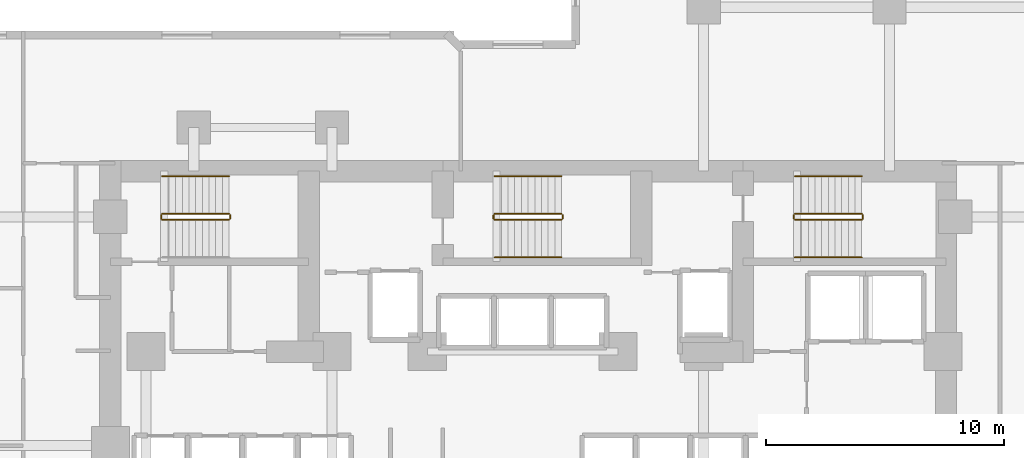
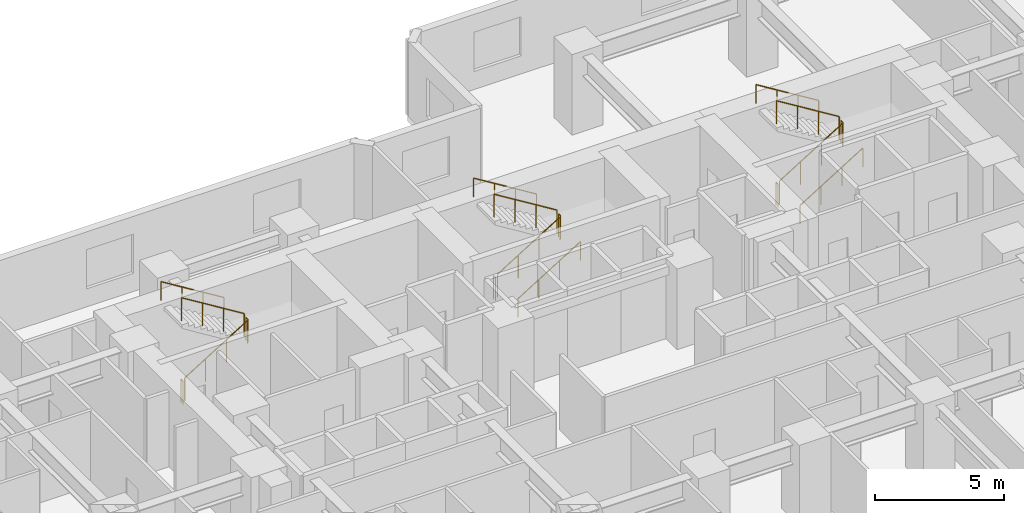
# One storey, part 12 of 12: 17 railings.
"""IFC4 building model written with IfcOpenShell, lengths in metres."""

from ifc_helpers import new_model, si_unit, direction, frame, origin, origin_2d, place, context, subcontext, project, spatial, circle, extrude, material, type_object, element, save


model = new_model("IFC4")

# Units and contexts
model_context = context("Model", 3, precision=1e-05, world=origin(), true_north=direction((0.0, 1.0)))
body_context = subcontext(model_context, "Body", "Model", "MODEL_VIEW")
ifc_project = project(units=[si_unit("LENGTHUNIT", "METRE"), si_unit("AREAUNIT", "SQUARE_METRE"), si_unit("VOLUMEUNIT", "CUBIC_METRE"), si_unit("PLANEANGLEUNIT", "RADIAN"), si_unit("MASSUNIT", "GRAM", prefix="KILO")], contexts=[model_context])

# Site, building, storey
site_placement = place(None, origin())
site = spatial("IfcSite", under=ifc_project, at=site_placement, CompositionType="ELEMENT")
building_placement = place(site_placement, origin())
building = spatial("IfcBuilding", under=site, at=building_placement, Name="Kestravale Grand Hotel", CompositionType="ELEMENT")
storey_placement = place(building_placement, frame((0.0, 0.0, 52.60009765625)))
storey = spatial("IfcBuildingStorey", under=building, at=storey_placement, Name="L12", CompositionType="ELEMENT", Elevation=52.60009765625)

# Railings
ifc_material_1 = material(Name="Painted tubular steel stair well guard", Category="steel")
railing_type_1 = type_object("IfcRailingType", Name="RL-ST-GRD1100", PredefinedType="GUARDRAIL", material=ifc_material_1)
railing_1_placement = place(storey_placement, frame((24.080078125, 38.280029296875, 0.172607421875)))
element("IfcRailing", 1, at=railing_1_placement, inside=storey, type_object=railing_type_1, Name="L12 ST-1 stair guard 1", PredefinedType="GUARDRAIL", context=body_context, shape_type="SweptSolid", body=[
    extrude(circle(Radius=0.02392578125, at=origin_2d()), frame((0.0, 0.0, 1.076171875), z_axis=(0.851069175582, 0.0, 0.525053576669), x_axis=(0.0, 1.0, 0.0)), (0.0, 0.0, 1.0), 3.289794921875),
    extrude(circle(Radius=0.02099609375, at=origin_2d()), origin(), (0.0, 0.0, 1.0), 1.052001953125),
    extrude(circle(Radius=0.02099609375, at=origin_2d()), frame((0.933349609375, 0.0, 0.57568359375)), (0.0, 0.0, 1.0), 1.052001953125),
    extrude(circle(Radius=0.02099609375, at=origin_2d()), frame((1.866455078125, 0.0, 1.151611328125)), (0.0, 0.0, 1.0), 1.052001953125),
    extrude(circle(Radius=0.02099609375, at=origin_2d()), frame((2.7998046875, 0.0, 1.727294921875)), (0.0, 0.0, 1.0), 1.052001953125),
])
railing_2_placement = place(storey_placement, frame((26.929931640625, 38.330078125, 1.89990234375)))
element("IfcRailing", 2, at=railing_2_placement, inside=storey, type_object=railing_type_1, Name="L12 ST-1 stair guard 2", PredefinedType="GUARDRAIL", context=body_context, shape_type="SweptSolid", body=[
    extrude(circle(Radius=0.02392578125, at=origin_2d()), frame((0.0, 0.0, 1.076171875), z_axis=(0.0, 1.0, 0.0), x_axis=(-1.0, 0.0, 0.0)), (0.0, 0.0, 1.0), 0.14990234375),
    extrude(circle(Radius=0.02099609375, at=origin_2d()), origin(), (0.0, 0.0, 1.0), 1.052001953125),
    extrude(circle(Radius=0.02099609375, at=origin_2d()), frame((0.0, 0.14990234375, 0.0)), (0.0, 0.0, 1.0), 1.052001953125),
])
railing_3_placement = place(storey_placement, frame((26.8798828125, 38.530029296875, 2.072509765625)))
element("IfcRailing", 3, at=railing_3_placement, inside=storey, type_object=railing_type_1, Name="L12 ST-1 stair guard 3", PredefinedType="GUARDRAIL", context=body_context, shape_type="SweptSolid", body=[
    extrude(circle(Radius=0.02392578125, at=origin_2d()), frame((0.0, 0.0, 1.076171875), z_axis=(-0.851069175582, 0.0, 0.525053576669), x_axis=(0.0, -1.0, 0.0)), (0.0, 0.0, 1.0), 3.289794921875),
    extrude(circle(Radius=0.02099609375, at=origin_2d()), origin(), (0.0, 0.0, 1.0), 1.052001953125),
    extrude(circle(Radius=0.02099609375, at=origin_2d()), frame((-0.933349609375, 0.0, 0.57568359375)), (0.0, 0.0, 1.0), 1.052001953125),
    extrude(circle(Radius=0.02099609375, at=origin_2d()), frame((-1.866455078125, 0.0, 1.151611328125)), (0.0, 0.0, 1.0), 1.052001953125),
    extrude(circle(Radius=0.02099609375, at=origin_2d()), frame((-2.7998046875, 0.0, 1.727294921875)), (0.0, 0.0, 1.0), 1.052001953125),
])
railing_4_placement = place(storey_placement, frame((24.030029296875, 38.330078125, 0.0)))
element("IfcRailing", 4, at=railing_4_placement, inside=storey, type_object=railing_type_1, Name="L12 ST-1 stair guard 4", PredefinedType="GUARDRAIL", context=body_context, shape_type="SweptSolid", body=[
    extrude(circle(Radius=0.02392578125, at=origin_2d()), frame((0.0, 0.0, 1.076171875), z_axis=(0.0, 1.0, 0.0), x_axis=(-1.0, 0.0, 0.0)), (0.0, 0.0, 1.0), 0.14990234375),
    extrude(circle(Radius=0.02099609375, at=origin_2d()), origin(), (0.0, 0.0, 1.0), 1.052001953125),
    extrude(circle(Radius=0.02099609375, at=origin_2d()), frame((0.0, 0.14990234375, 0.0)), (0.0, 0.0, 1.0), 1.052001953125),
])
railing_5_placement = place(storey_placement, frame((38.030029296875, 38.280029296875, 0.172607421875)))
element("IfcRailing", 5, at=railing_5_placement, inside=storey, type_object=railing_type_1, Name="L12 ST-2 stair guard 1", PredefinedType="GUARDRAIL", context=body_context, shape_type="SweptSolid", body=[
    extrude(circle(Radius=0.02392578125, at=origin_2d()), frame((0.0, 0.0, 1.076171875), z_axis=(0.851089632645, 0.0, 0.525020415988), x_axis=(0.0, 1.0, 0.0)), (0.0, 0.0, 1.0), 3.2900390625),
    extrude(circle(Radius=0.02099609375, at=origin_2d()), origin(), (0.0, 0.0, 1.0), 1.052001953125),
    extrude(circle(Radius=0.02099609375, at=origin_2d()), frame((0.933349609375, 0.0, 0.57568359375)), (0.0, 0.0, 1.0), 1.052001953125),
    extrude(circle(Radius=0.02099609375, at=origin_2d()), frame((1.86669921875, 0.0, 1.151611328125)), (0.0, 0.0, 1.0), 1.052001953125),
    extrude(circle(Radius=0.02099609375, at=origin_2d()), frame((2.800048828125, 0.0, 1.727294921875)), (0.0, 0.0, 1.0), 1.052001953125),
])
railing_6_placement = place(storey_placement, frame((40.8798828125, 38.330078125, 1.89990234375)))
element("IfcRailing", 6, at=railing_6_placement, inside=storey, type_object=railing_type_1, Name="L12 ST-2 stair guard 2", PredefinedType="GUARDRAIL", context=body_context, shape_type="SweptSolid", body=[
    extrude(circle(Radius=0.02392578125, at=origin_2d()), frame((0.0, 0.0, 1.076171875), z_axis=(0.0, 1.0, 0.0), x_axis=(-1.0, 0.0, 0.0)), (0.0, 0.0, 1.0), 0.14990234375),
    extrude(circle(Radius=0.02099609375, at=origin_2d()), origin(), (0.0, 0.0, 1.0), 1.052001953125),
    extrude(circle(Radius=0.02099609375, at=origin_2d()), frame((0.0, 0.14990234375, 0.0)), (0.0, 0.0, 1.0), 1.052001953125),
])
railing_7_placement = place(storey_placement, frame((40.830078125, 38.530029296875, 2.072509765625)))
element("IfcRailing", 7, at=railing_7_placement, inside=storey, type_object=railing_type_1, Name="L12 ST-2 stair guard 3", PredefinedType="GUARDRAIL", context=body_context, shape_type="SweptSolid", body=[
    extrude(circle(Radius=0.02392578125, at=origin_2d()), frame((0.0, 0.0, 1.076171875), z_axis=(-0.851089632645, 0.0, 0.525020415988), x_axis=(0.0, -1.0, 0.0)), (0.0, 0.0, 1.0), 3.2900390625),
    extrude(circle(Radius=0.02099609375, at=origin_2d()), origin(), (0.0, 0.0, 1.0), 1.052001953125),
    extrude(circle(Radius=0.02099609375, at=origin_2d()), frame((-0.933349609375, 0.0, 0.57568359375)), (0.0, 0.0, 1.0), 1.052001953125),
    extrude(circle(Radius=0.02099609375, at=origin_2d()), frame((-1.86669921875, 0.0, 1.151611328125)), (0.0, 0.0, 1.0), 1.052001953125),
    extrude(circle(Radius=0.02099609375, at=origin_2d()), frame((-2.800048828125, 0.0, 1.727294921875)), (0.0, 0.0, 1.0), 1.052001953125),
])
railing_8_placement = place(storey_placement, frame((37.97998046875, 38.330078125, 0.0)))
element("IfcRailing", 8, at=railing_8_placement, inside=storey, type_object=railing_type_1, Name="L12 ST-2 stair guard 4", PredefinedType="GUARDRAIL", context=body_context, shape_type="SweptSolid", body=[
    extrude(circle(Radius=0.02392578125, at=origin_2d()), frame((0.0, 0.0, 1.076171875), z_axis=(0.0, 1.0, 0.0), x_axis=(-1.0, 0.0, 0.0)), (0.0, 0.0, 1.0), 0.14990234375),
    extrude(circle(Radius=0.02099609375, at=origin_2d()), origin(), (0.0, 0.0, 1.0), 1.052001953125),
    extrude(circle(Radius=0.02099609375, at=origin_2d()), frame((0.0, 0.14990234375, 0.0)), (0.0, 0.0, 1.0), 1.052001953125),
])
railing_9_placement = place(storey_placement, frame((50.6298828125, 38.280029296875, 0.172607421875)))
element("IfcRailing", 9, at=railing_9_placement, inside=storey, type_object=railing_type_1, Name="L12 ST-3 stair guard 1", PredefinedType="GUARDRAIL", context=body_context, shape_type="SweptSolid", body=[
    extrude(circle(Radius=0.02392578125, at=origin_2d()), frame((0.0, 0.0, 1.076171875), z_axis=(0.851089632645, 0.0, 0.525020415988), x_axis=(0.0, 1.0, 0.0)), (0.0, 0.0, 1.0), 3.2900390625),
    extrude(circle(Radius=0.02099609375, at=origin_2d()), origin(), (0.0, 0.0, 1.0), 1.052001953125),
    extrude(circle(Radius=0.02099609375, at=origin_2d()), frame((0.933349609375, 0.0, 0.57568359375)), (0.0, 0.0, 1.0), 1.052001953125),
    extrude(circle(Radius=0.02099609375, at=origin_2d()), frame((1.86669921875, 0.0, 1.151611328125)), (0.0, 0.0, 1.0), 1.052001953125),
    extrude(circle(Radius=0.02099609375, at=origin_2d()), frame((2.800048828125, 0.0, 1.727294921875)), (0.0, 0.0, 1.0), 1.052001953125),
])
railing_10_placement = place(storey_placement, frame((53.47998046875, 38.330078125, 1.89990234375)))
element("IfcRailing", 10, at=railing_10_placement, inside=storey, type_object=railing_type_1, Name="L12 ST-3 stair guard 2", PredefinedType="GUARDRAIL", context=body_context, shape_type="SweptSolid", body=[
    extrude(circle(Radius=0.02392578125, at=origin_2d()), frame((0.0, 0.0, 1.076171875), z_axis=(0.0, 1.0, 0.0), x_axis=(-1.0, 0.0, 0.0)), (0.0, 0.0, 1.0), 0.14990234375),
    extrude(circle(Radius=0.02099609375, at=origin_2d()), origin(), (0.0, 0.0, 1.0), 1.052001953125),
    extrude(circle(Radius=0.02099609375, at=origin_2d()), frame((0.0, 0.14990234375, 0.0)), (0.0, 0.0, 1.0), 1.052001953125),
])
railing_11_placement = place(storey_placement, frame((53.429931640625, 38.530029296875, 2.072509765625)))
element("IfcRailing", 11, at=railing_11_placement, inside=storey, type_object=railing_type_1, Name="L12 ST-3 stair guard 3", PredefinedType="GUARDRAIL", context=body_context, shape_type="SweptSolid", body=[
    extrude(circle(Radius=0.02392578125, at=origin_2d()), frame((0.0, 0.0, 1.076171875), z_axis=(-0.851089632645, 0.0, 0.525020415988), x_axis=(0.0, -1.0, 0.0)), (0.0, 0.0, 1.0), 3.2900390625),
    extrude(circle(Radius=0.02099609375, at=origin_2d()), origin(), (0.0, 0.0, 1.0), 1.052001953125),
    extrude(circle(Radius=0.02099609375, at=origin_2d()), frame((-0.933349609375, 0.0, 0.57568359375)), (0.0, 0.0, 1.0), 1.052001953125),
    extrude(circle(Radius=0.02099609375, at=origin_2d()), frame((-1.86669921875, 0.0, 1.151611328125)), (0.0, 0.0, 1.0), 1.052001953125),
    extrude(circle(Radius=0.02099609375, at=origin_2d()), frame((-2.800048828125, 0.0, 1.727294921875)), (0.0, 0.0, 1.0), 1.052001953125),
])
railing_12_placement = place(storey_placement, frame((50.580078125, 38.330078125, 0.0)))
element("IfcRailing", 12, at=railing_12_placement, inside=storey, type_object=railing_type_1, Name="L12 ST-3 stair guard 4", PredefinedType="GUARDRAIL", context=body_context, shape_type="SweptSolid", body=[
    extrude(circle(Radius=0.02392578125, at=origin_2d()), frame((0.0, 0.0, 1.076171875), z_axis=(0.0, 1.0, 0.0), x_axis=(-1.0, 0.0, 0.0)), (0.0, 0.0, 1.0), 0.14990234375),
    extrude(circle(Radius=0.02099609375, at=origin_2d()), origin(), (0.0, 0.0, 1.0), 1.052001953125),
    extrude(circle(Radius=0.02099609375, at=origin_2d()), frame((0.0, 0.14990234375, 0.0)), (0.0, 0.0, 1.0), 1.052001953125),
])
ifc_material_2 = material(Name="Brushed stainless steel wall handrail", Category="steel")
railing_type_2 = type_object("IfcRailingType", Name="RL-ST-HND900", PredefinedType="HANDRAIL", material=ifc_material_2)
railing_13_placement = place(storey_placement, frame((26.8798828125, 40.110107421875, 2.072509765625)))
element("IfcRailing", 13, at=railing_13_placement, inside=storey, type_object=railing_type_2, Name="L12 ST-1 stair handrail 2", PredefinedType="HANDRAIL", context=body_context, shape_type="SweptSolid", body=[
    extrude(circle(Radius=0.02392578125, at=origin_2d()), frame((0.0, 0.0, 0.8759765625), z_axis=(-0.851069175582, 0.0, 0.525053576669), x_axis=(0.0, -1.0, 0.0)), (0.0, 0.0, 1.0), 3.289794921875),
    extrude(circle(Radius=0.02099609375, at=origin_2d()), origin(), (0.0, 0.0, 1.0), 0.851806640625),
    extrude(circle(Radius=0.02099609375, at=origin_2d()), frame((-0.933349609375, 0.0, 0.57568359375)), (0.0, 0.0, 1.0), 0.851806640625),
    extrude(circle(Radius=0.02099609375, at=origin_2d()), frame((-1.866455078125, 0.0, 1.151611328125)), (0.0, 0.0, 1.0), 0.851806640625),
    extrude(circle(Radius=0.02099609375, at=origin_2d()), frame((-2.7998046875, 0.0, 1.727294921875)), (0.0, 0.0, 1.0), 0.851806640625),
])
railing_14_placement = place(storey_placement, frame((38.030029296875, 36.699951171875, 0.172607421875)))
element("IfcRailing", 14, at=railing_14_placement, inside=storey, type_object=railing_type_2, Name="L12 ST-2 stair handrail 1", PredefinedType="HANDRAIL", context=body_context, shape_type="SweptSolid", body=[
    extrude(circle(Radius=0.02392578125, at=origin_2d()), frame((0.0, 0.0, 0.8759765625), z_axis=(0.851089632645, 0.0, 0.525020415988), x_axis=(0.0, 1.0, 0.0)), (0.0, 0.0, 1.0), 3.2900390625),
    extrude(circle(Radius=0.02099609375, at=origin_2d()), origin(), (0.0, 0.0, 1.0), 0.851806640625),
    extrude(circle(Radius=0.02099609375, at=origin_2d()), frame((0.933349609375, 0.0, 0.57568359375)), (0.0, 0.0, 1.0), 0.851806640625),
    extrude(circle(Radius=0.02099609375, at=origin_2d()), frame((1.86669921875, 0.0, 1.151611328125)), (0.0, 0.0, 1.0), 0.851806640625),
    extrude(circle(Radius=0.02099609375, at=origin_2d()), frame((2.800048828125, 0.0, 1.727294921875)), (0.0, 0.0, 1.0), 0.851806640625),
])
railing_15_placement = place(storey_placement, frame((40.830078125, 40.110107421875, 2.072509765625)))
element("IfcRailing", 15, at=railing_15_placement, inside=storey, type_object=railing_type_2, Name="L12 ST-2 stair handrail 2", PredefinedType="HANDRAIL", context=body_context, shape_type="SweptSolid", body=[
    extrude(circle(Radius=0.02392578125, at=origin_2d()), frame((0.0, 0.0, 0.8759765625), z_axis=(-0.851089632645, 0.0, 0.525020415988), x_axis=(0.0, -1.0, 0.0)), (0.0, 0.0, 1.0), 3.2900390625),
    extrude(circle(Radius=0.02099609375, at=origin_2d()), origin(), (0.0, 0.0, 1.0), 0.851806640625),
    extrude(circle(Radius=0.02099609375, at=origin_2d()), frame((-0.933349609375, 0.0, 0.57568359375)), (0.0, 0.0, 1.0), 0.851806640625),
    extrude(circle(Radius=0.02099609375, at=origin_2d()), frame((-1.86669921875, 0.0, 1.151611328125)), (0.0, 0.0, 1.0), 0.851806640625),
    extrude(circle(Radius=0.02099609375, at=origin_2d()), frame((-2.800048828125, 0.0, 1.727294921875)), (0.0, 0.0, 1.0), 0.851806640625),
])
railing_16_placement = place(storey_placement, frame((50.6298828125, 36.699951171875, 0.172607421875)))
element("IfcRailing", 16, at=railing_16_placement, inside=storey, type_object=railing_type_2, Name="L12 ST-3 stair handrail 1", PredefinedType="HANDRAIL", context=body_context, shape_type="SweptSolid", body=[
    extrude(circle(Radius=0.02392578125, at=origin_2d()), frame((0.0, 0.0, 0.8759765625), z_axis=(0.851089632645, 0.0, 0.525020415988), x_axis=(0.0, 1.0, 0.0)), (0.0, 0.0, 1.0), 3.2900390625),
    extrude(circle(Radius=0.02099609375, at=origin_2d()), origin(), (0.0, 0.0, 1.0), 0.851806640625),
    extrude(circle(Radius=0.02099609375, at=origin_2d()), frame((0.933349609375, 0.0, 0.57568359375)), (0.0, 0.0, 1.0), 0.851806640625),
    extrude(circle(Radius=0.02099609375, at=origin_2d()), frame((1.86669921875, 0.0, 1.151611328125)), (0.0, 0.0, 1.0), 0.851806640625),
    extrude(circle(Radius=0.02099609375, at=origin_2d()), frame((2.800048828125, 0.0, 1.727294921875)), (0.0, 0.0, 1.0), 0.851806640625),
])
railing_17_placement = place(storey_placement, frame((53.429931640625, 40.110107421875, 2.072509765625)))
element("IfcRailing", 17, at=railing_17_placement, inside=storey, type_object=railing_type_2, Name="L12 ST-3 stair handrail 2", PredefinedType="HANDRAIL", context=body_context, shape_type="SweptSolid", body=[
    extrude(circle(Radius=0.02392578125, at=origin_2d()), frame((0.0, 0.0, 0.8759765625), z_axis=(-0.851089632645, 0.0, 0.525020415988), x_axis=(0.0, -1.0, 0.0)), (0.0, 0.0, 1.0), 3.2900390625),
    extrude(circle(Radius=0.02099609375, at=origin_2d()), origin(), (0.0, 0.0, 1.0), 0.851806640625),
    extrude(circle(Radius=0.02099609375, at=origin_2d()), frame((-0.933349609375, 0.0, 0.57568359375)), (0.0, 0.0, 1.0), 0.851806640625),
    extrude(circle(Radius=0.02099609375, at=origin_2d()), frame((-1.86669921875, 0.0, 1.151611328125)), (0.0, 0.0, 1.0), 0.851806640625),
    extrude(circle(Radius=0.02099609375, at=origin_2d()), frame((-2.800048828125, 0.0, 1.727294921875)), (0.0, 0.0, 1.0), 0.851806640625),
])

save(model, "model.ifc")
